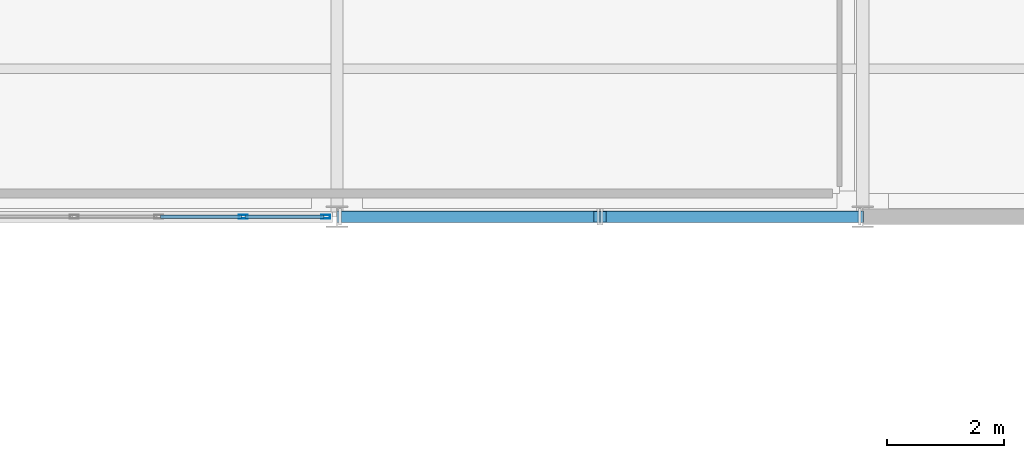
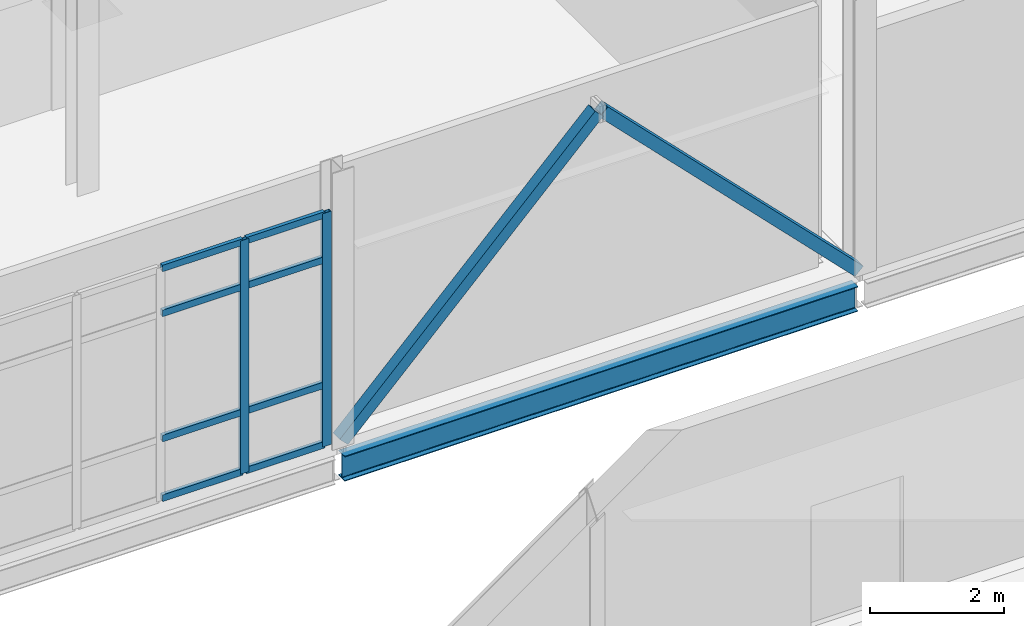
# One storey, part 34 of 161: 12 members, 1 beam, 1 element without a shape of its own.
"""IFC4 building model written with IfcOpenShell, lengths in metres."""

from ifc_helpers import new_model, si_unit, direction, frame, origin, origin_2d, place, context, subcontext, project, spatial, hollow_rectangle, i_section, extrude, material, material_profile, profile_set, type_object, element, aggregate, save


model = new_model("IFC4")

# Units and contexts
model_context = context("Model", 3, precision=1e-05, world=origin(), true_north=direction((0.0, 1.0)))
body_context = subcontext(model_context, "Body", "Model", "MODEL_VIEW")
ifc_project = project(units=[si_unit("LENGTHUNIT", "METRE"), si_unit("AREAUNIT", "SQUARE_METRE"), si_unit("VOLUMEUNIT", "CUBIC_METRE"), si_unit("PLANEANGLEUNIT", "RADIAN"), si_unit("MASSUNIT", "GRAM", prefix="KILO")], contexts=[model_context])

# Site, building, storey
site_placement = place(None, origin())
site = spatial("IfcSite", under=ifc_project, at=site_placement, CompositionType="ELEMENT")
building_placement = place(site_placement, origin())
building = spatial("IfcBuilding", under=site, at=building_placement, Name="Caisbarro Railhouse Central Library", CompositionType="ELEMENT")
storey_placement = place(building_placement, origin())
storey = spatial("IfcBuildingStorey", under=building, at=storey_placement, Name="L00", CompositionType="ELEMENT", Elevation=0.0)

# Beam
ifc_material_1 = material(Name="Steel ASTM A572 Grade 50", Category="steel")
ifc_material_profile_1 = material_profile(ifc_material_1, i_section(OverallWidth=0.18994140625, OverallDepth=0.45703125, WebThickness=0.009033203125, FlangeThickness=0.014404296875, FilletRadius=0.01806640625, at=origin_2d()), Name="W460X74.0")
ifc_profile_set_1 = profile_set([ifc_material_profile_1], Name="Steel ASTM A572 Grade 50")
beam_type = type_object("IfcBeamType", Name="BM-SP01", PredefinedType="SPANDREL", material=ifc_profile_set_1)
beam_placement = place(storey_placement, frame((18.080078125, 30.39990234375, -0.478515625), z_axis=(1.0, 0.0, 0.0), x_axis=(0.0, 1.0, 0.0)))
element("IfcBeam", 1, at=beam_placement, inside=storey, type_object=beam_type, Name="SP01 beam L00 #247", PredefinedType="SPANDREL", context=body_context, shape_type="SweptSolid", body=[
    extrude(i_section(OverallWidth=0.18994140625, OverallDepth=0.45703125, WebThickness=0.009033203125, FlangeThickness=0.014404296875, FilletRadius=0.01806640625, at=origin_2d()), origin(), (0.0, 0.0, 1.0), 8.83984375),
])

# Curtain wall, members
ifc_material_2 = material(Name="Anodised architectural aluminium", Category="aluminium")
curtain_wall_type = type_object("IfcCurtainWallType", Name="CW-CW02", PredefinedType="NOTDEFINED", material=ifc_material_2)
curtain_wall_placement = place(storey_placement, origin())
curtain_wall = element("IfcCurtainWall", 2, at=curtain_wall_placement, inside=storey, type_object=curtain_wall_type, Name="CW02 curtain wall L00 #25", PredefinedType="NOTDEFINED")
ifc_material_profile_2 = material_profile(ifc_material_2, hollow_rectangle(XDim=0.06494140625, YDim=0.14990234375, WallThickness=0.00390625, at=origin_2d()), Name="ALU-MUL-65X150")
ifc_profile_set_2 = profile_set([ifc_material_profile_2], Name="Anodised architectural aluminium")
member_type_1 = type_object("IfcMemberType", Name="CWM-M02", PredefinedType="MULLION", material=ifc_profile_set_2)
member_1_placement = place(storey_placement, frame((16.393310546875, 30.39990234375, 0.0), z_axis=(0.0, 0.0, 1.0), x_axis=(0.0, 1.0, 0.0)))
member_1 = element("IfcMember", 3, at=member_1_placement, type_object=member_type_1, Name="CW02 mullion 6", PredefinedType="MULLION", context=body_context, shape_type="SweptSolid", body=[
    extrude(hollow_rectangle(XDim=0.06494140625, YDim=0.14990234375, WallThickness=0.00390625, at=origin_2d()), origin(), (0.0, 0.0, 1.0), 4.25),
])
member_2_placement = place(storey_placement, frame((17.8076171875, 30.39990234375, 0.0), z_axis=(0.0, 0.0, 1.0), x_axis=(0.0, 1.0, 0.0)))
member_2 = element("IfcMember", 4, at=member_2_placement, type_object=member_type_1, Name="CW02 mullion 7", PredefinedType="MULLION", context=body_context, shape_type="SweptSolid", body=[
    extrude(hollow_rectangle(XDim=0.06494140625, YDim=0.14990234375, WallThickness=0.00390625, at=origin_2d()), origin(), (0.0, 0.0, 1.0), 4.25),
])
ifc_material_profile_3 = material_profile(ifc_material_2, hollow_rectangle(XDim=0.06494140625, YDim=0.1201171875, WallThickness=0.00341796875, at=origin_2d()), Name="ALU-TRN-65X120")
ifc_profile_set_3 = profile_set([ifc_material_profile_3], Name="Anodised architectural aluminium")
member_type_2 = type_object("IfcMemberType", Name="CWT-T02", PredefinedType="USERDEFINED", material=ifc_profile_set_3)
member_3_placement = place(storey_placement, frame((14.979248046875, 30.39990234375, 0.032470703125), z_axis=(1.0, 0.0, 0.0), x_axis=(0.0, 1.0, 0.0)))
member_3 = element("IfcMember", 5, at=member_3_placement, type_object=member_type_2, Name="CW02 transom 5.1", ObjectType="TRANSOM", PredefinedType="USERDEFINED", context=body_context, shape_type="SweptSolid", body=[
    extrude(hollow_rectangle(XDim=0.06494140625, YDim=0.1201171875, WallThickness=0.00341796875, at=origin_2d()), origin(), (0.0, 0.0, 1.0), 1.381591796875),
])
member_4_placement = place(storey_placement, frame((14.979248046875, 30.39990234375, 1.1201171875), z_axis=(1.0, 0.0, 0.0), x_axis=(0.0, 1.0, 0.0)))
member_4 = element("IfcMember", 6, at=member_4_placement, type_object=member_type_2, Name="CW02 transom 5.2", ObjectType="TRANSOM", PredefinedType="USERDEFINED", context=body_context, shape_type="SweptSolid", body=[
    extrude(hollow_rectangle(XDim=0.06494140625, YDim=0.1201171875, WallThickness=0.00341796875, at=origin_2d()), origin(), (0.0, 0.0, 1.0), 1.381591796875),
])
member_5_placement = place(storey_placement, frame((14.979248046875, 30.39990234375, 3.39990234375), z_axis=(1.0, 0.0, 0.0), x_axis=(0.0, 1.0, 0.0)))
member_5 = element("IfcMember", 7, at=member_5_placement, type_object=member_type_2, Name="CW02 transom 5.3", ObjectType="TRANSOM", PredefinedType="USERDEFINED", context=body_context, shape_type="SweptSolid", body=[
    extrude(hollow_rectangle(XDim=0.06494140625, YDim=0.1201171875, WallThickness=0.00341796875, at=origin_2d()), origin(), (0.0, 0.0, 1.0), 1.381591796875),
])
member_6_placement = place(storey_placement, frame((14.979248046875, 30.39990234375, 4.217529296875), z_axis=(1.0, 0.0, 0.0), x_axis=(0.0, 1.0, 0.0)))
member_6 = element("IfcMember", 8, at=member_6_placement, type_object=member_type_2, Name="CW02 transom 5.4", ObjectType="TRANSOM", PredefinedType="USERDEFINED", context=body_context, shape_type="SweptSolid", body=[
    extrude(hollow_rectangle(XDim=0.06494140625, YDim=0.1201171875, WallThickness=0.00341796875, at=origin_2d()), origin(), (0.0, 0.0, 1.0), 1.381591796875),
])
member_7_placement = place(storey_placement, frame((16.42578125, 30.39990234375, 0.032470703125), z_axis=(1.0, 0.0, 0.0), x_axis=(0.0, 1.0, 0.0)))
member_7 = element("IfcMember", 9, at=member_7_placement, type_object=member_type_2, Name="CW02 transom 6.1", ObjectType="TRANSOM", PredefinedType="USERDEFINED", context=body_context, shape_type="SweptSolid", body=[
    extrude(hollow_rectangle(XDim=0.06494140625, YDim=0.1201171875, WallThickness=0.00341796875, at=origin_2d()), origin(), (0.0, 0.0, 1.0), 1.34912109375),
])
member_8_placement = place(storey_placement, frame((16.42578125, 30.39990234375, 1.1201171875), z_axis=(1.0, 0.0, 0.0), x_axis=(0.0, 1.0, 0.0)))
member_8 = element("IfcMember", 10, at=member_8_placement, type_object=member_type_2, Name="CW02 transom 6.2", ObjectType="TRANSOM", PredefinedType="USERDEFINED", context=body_context, shape_type="SweptSolid", body=[
    extrude(hollow_rectangle(XDim=0.06494140625, YDim=0.1201171875, WallThickness=0.00341796875, at=origin_2d()), origin(), (0.0, 0.0, 1.0), 1.34912109375),
])
member_9_placement = place(storey_placement, frame((16.42578125, 30.39990234375, 3.39990234375), z_axis=(1.0, 0.0, 0.0), x_axis=(0.0, 1.0, 0.0)))
member_9 = element("IfcMember", 11, at=member_9_placement, type_object=member_type_2, Name="CW02 transom 6.3", ObjectType="TRANSOM", PredefinedType="USERDEFINED", context=body_context, shape_type="SweptSolid", body=[
    extrude(hollow_rectangle(XDim=0.06494140625, YDim=0.1201171875, WallThickness=0.00341796875, at=origin_2d()), origin(), (0.0, 0.0, 1.0), 1.34912109375),
])
member_10_placement = place(storey_placement, frame((16.42578125, 30.39990234375, 4.217529296875), z_axis=(1.0, 0.0, 0.0), x_axis=(0.0, 1.0, 0.0)))
member_10 = element("IfcMember", 12, at=member_10_placement, type_object=member_type_2, Name="CW02 transom 6.4", ObjectType="TRANSOM", PredefinedType="USERDEFINED", context=body_context, shape_type="SweptSolid", body=[
    extrude(hollow_rectangle(XDim=0.06494140625, YDim=0.1201171875, WallThickness=0.00341796875, at=origin_2d()), origin(), (0.0, 0.0, 1.0), 1.34912109375),
])
aggregate(curtain_wall, [member_1, member_2, member_3, member_4, member_5, member_6, member_7, member_8, member_9, member_10])

# Members
ifc_material_profile_4 = material_profile(ifc_material_1, hollow_rectangle(XDim=0.199951171875, YDim=0.199951171875, WallThickness=0.012451171875, at=origin_2d()), Name="HSS200X200X12.5")
ifc_profile_set_4 = profile_set([ifc_material_profile_4], Name="Steel ASTM A572 Grade 50")
member_type_3 = type_object("IfcMemberType", Name="MEM-BR01", PredefinedType="BRACE", material=ifc_profile_set_4)
for number, where, z_axis, x_axis, name in (
    (13, (18.06005859375, 30.39990234375, 0.02001953125), (0.703896801491, 0.0, 0.710302254573), (0.0, 1.0, 0.0), "BR01 chevron brace Y30-W L00.1"),
    (14, (26.93994140625, 30.39990234375, 0.02001953125), (-0.703896801491, 0.0, 0.710302254573), (0.0, -1.0, 0.0), "BR01 chevron brace Y30-W L00.2"),
):
    element("IfcMember", number, at=place(storey_placement, frame(where, z_axis=z_axis, x_axis=x_axis)), inside=storey, type_object=member_type_3, Name=name, PredefinedType="BRACE", context=body_context, shape_type="SweptSolid", body=[
        extrude(hollow_rectangle(XDim=0.199951171875, YDim=0.199951171875, WallThickness=0.012451171875, at=origin_2d()), origin(), (0.0, 0.0, 1.0), 6.250732421875),
    ])

save(model, "model.ifc")
